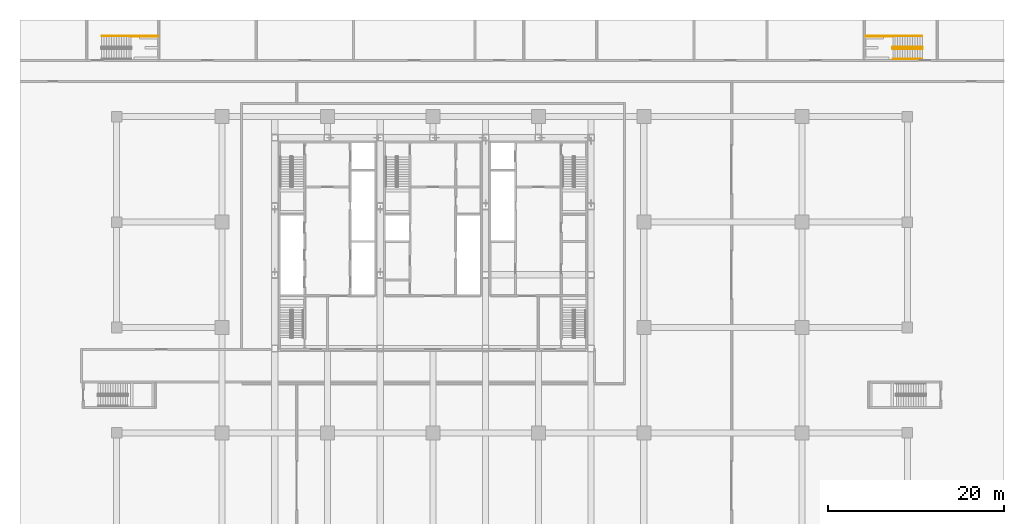
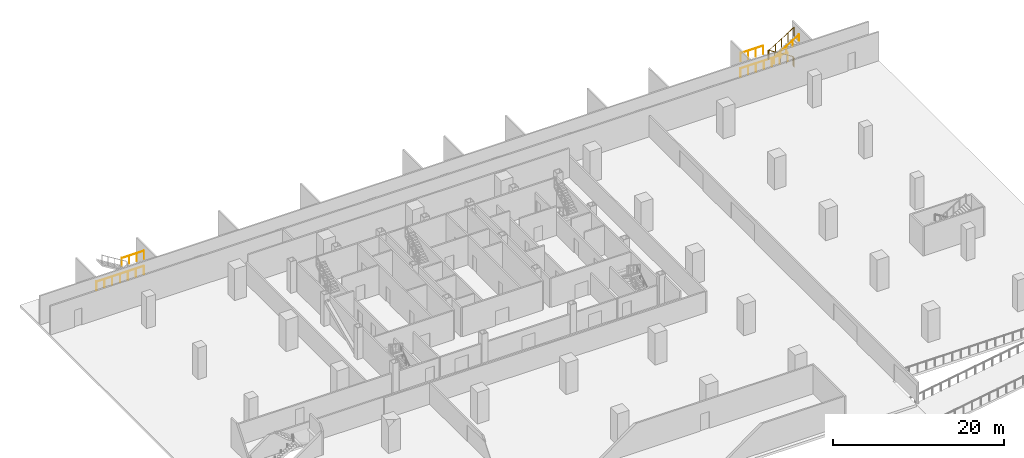
# One storey, part 15 of 15: 6 railings.
"""IFC4 building model written with IfcOpenShell, lengths in metres."""

import ifcopenshell
import ifcopenshell.guid

model = None  # the IFC model being written
_history = None  # IfcOwnerHistory: only IFC2X3 demands one
_inside = {}  # id of a spatial element -> (the spatial element, [elements in it])
_under = {}  # id of a project, library or spatial element -> (it, [spatial elements below it])
_declared = {}  # id of a project -> (the project, [libraries it declares])
_typed = {}  # id of a type object -> (the type object, [elements of that type])
_made_of = {}  # id of a material, layer set ... -> (it, [elements and type objects made of it])


def new_model(schema):
    """Start an empty IFC model of exactly this schema.

    Asked for "IFC4X3", IfcOpenShell would pick the latest addendum, in which some entities
    have other attributes; the version numbers below select the first issue.
    IFC2X3 requires an IfcOwnerHistory on every rooted entity: one is made here for all.
    """
    global model, _history
    if schema == "IFC4X3":
        model = ifcopenshell.file(schema_version=(4, 3, 0, 0))
    else:
        model = ifcopenshell.file(schema=schema)
    _inside.clear()
    _under.clear()
    _declared.clear()
    _typed.clear()
    _made_of.clear()
    _history = None
    if model.schema == "IFC2X3":
        org = make("IfcOrganization", Name="unknown")
        user = make(
            "IfcPersonAndOrganization",
            ThePerson=make("IfcPerson", FamilyName="unknown"),
            TheOrganization=org,
        )
        app = make(
            "IfcApplication",
            ApplicationDeveloper=org,
            Version="unknown",
            ApplicationFullName="unknown",
            ApplicationIdentifier="unknown",
        )
        _history = make(
            "IfcOwnerHistory",
            OwningUser=user,
            OwningApplication=app,
            ChangeAction="ADDED",
            CreationDate=0,
        )
    return model


def make(cls, **values):
    """One entity of the class cls with the attributes given. An attribute that is None is left unset."""
    return model.create_entity(
        cls, **{name: value for name, value in values.items() if value is not None}
    )


def rooted(cls, **values):
    """An entity with a GlobalId (a new one), such as an element, a storey or a relation."""
    return make(cls, GlobalId=ifcopenshell.guid.new(), OwnerHistory=_history, **values)


def si_unit(unit_type, name, prefix=None):
    """IfcSIUnit, for example si_unit("LENGTHUNIT", "METRE", prefix="MILLI")."""
    return make("IfcSIUnit", UnitType=unit_type, Prefix=prefix, Name=name)


def assignment(units):
    """IfcUnitAssignment: the units of a project."""
    return None if units is None else make("IfcUnitAssignment", Units=units)


def point(xyz):
    """IfcCartesianPoint."""
    return None if xyz is None else make("IfcCartesianPoint", Coordinates=xyz)


def direction(xyz):
    """IfcDirection."""
    return None if xyz is None else make("IfcDirection", DirectionRatios=xyz)


def frame(location, z_axis=None, x_axis=None):
    """IfcAxis2Placement3D, a coordinate frame: its origin and axes. An axis left out is left unset."""
    return make(
        "IfcAxis2Placement3D",
        Location=point(location),
        Axis=direction(z_axis),
        RefDirection=direction(x_axis),
    )


def frame_2d(location, x_axis=None):
    """IfcAxis2Placement2D, a coordinate frame in the plane: its origin and x axis."""
    return make(
        "IfcAxis2Placement2D", Location=point(location), RefDirection=direction(x_axis)
    )


def origin():
    """The frame at (0, 0, 0) with its axes left unset."""
    return frame((0.0, 0.0, 0.0))


def origin_2d():
    """The frame at (0, 0) in the plane with its x axis left unset."""
    return frame_2d((0.0, 0.0))


def place(relative_to, where):
    """IfcLocalPlacement: puts the frame where relative to a parent placement (None: the world)."""
    return make(
        "IfcLocalPlacement", PlacementRelTo=relative_to, RelativePlacement=where
    )


def context(
    kind, dimensions, precision=None, world=None, true_north=None, identifier=None
):
    """IfcGeometricRepresentationContext, for example the 3D "Model" context."""
    return make(
        "IfcGeometricRepresentationContext",
        ContextIdentifier=identifier,
        ContextType=kind,
        CoordinateSpaceDimension=dimensions,
        Precision=precision,
        WorldCoordinateSystem=world,
        TrueNorth=true_north,
    )


def subcontext(parent, identifier, kind, view, scale=None):
    """IfcGeometricRepresentationSubContext, for example "Body" below "Model"."""
    return make(
        "IfcGeometricRepresentationSubContext",
        ContextIdentifier=identifier,
        ContextType=kind,
        ParentContext=parent,
        TargetScale=scale,
        TargetView=view,
    )


def project(units=None, contexts=None):
    """IfcProject with its units and contexts."""
    return rooted(
        "IfcProject",
        Name="project",
        RepresentationContexts=contexts,
        UnitsInContext=assignment(units),
    )


def spatial(cls, under=None, at=None, **own):
    """A site, building, storey or space (cls), placed at a placement, below another one or the project."""
    s = rooted(cls, ObjectPlacement=at, **own)
    if under is not None:
        _under.setdefault(under.id(), (under, []))[1].append(s)
    return s


def profile(cls, at=None, kind="AREA", **sizes):
    """A parametric profile (cls). Its sizes go by their IFC names, for example OverallWidth=200.0."""
    return make(cls, ProfileType=kind, Position=at, **sizes)


def circle(**sizes):
    """IfcCircleProfileDef."""
    return profile("IfcCircleProfileDef", **sizes)


def extrude(swept, where, along, depth):
    """IfcExtrudedAreaSolid: the profile swept, set in the frame where, extruded along a direction by depth."""
    return make(
        "IfcExtrudedAreaSolid",
        SweptArea=swept,
        Position=where,
        ExtrudedDirection=direction(along),
        Depth=depth,
    )


def shape(context_of_items, identifier, shape_type, items):
    """IfcShapeRepresentation: the items that make up one representation, for example the "Body"."""
    return make(
        "IfcShapeRepresentation",
        ContextOfItems=context_of_items,
        RepresentationIdentifier=identifier,
        RepresentationType=shape_type,
        Items=items,
    )


def material(Name=None, Category=None):
    """IfcMaterial."""
    return make("IfcMaterial", Name=Name, Category=Category)


def made_of(thing, what):
    """Note that an element or type object is made of a material, layer set ...; save() writes the relation."""
    if what is not None:
        _made_of.setdefault(what.id(), (what, []))[1].append(thing)
    return thing


def type_object(cls, material=None, **own):
    """A type object (cls), such as IfcWallType, which elements share."""
    return made_of(rooted(cls, **own), material)


def element(
    cls,
    number,
    at=None,
    inside=None,
    cuts=None,
    type_object=None,
    material=None,
    context=None,
    identifier="Body",
    shape_type=None,
    held_by="IfcProductDefinitionShape",
    body=None,
    shapes=None,
    **own,
):
    """One element of the class cls, such as IfcWall. Its Tag is "e" and its number.

    at: its placement. inside: the storey or other place that contains it. cuts: it is an
    opening in that element (IfcRelVoidsElement). A single representation is given by context,
    identifier, shape_type and body (its items); several are given by shapes. held_by: the class
    of the entity that holds the representations. save() writes the other relations.
    """
    e = rooted(cls, Tag="e%d" % number, ObjectPlacement=at, **own)
    if body is not None:
        shapes = [shape(context, identifier, shape_type, body)]
    if shapes is not None:
        e.Representation = make(held_by, Representations=shapes)
    if inside is not None:
        _inside.setdefault(inside.id(), (inside, []))[1].append(e)
    if cuts is not None:
        rooted(
            "IfcRelVoidsElement", RelatingBuildingElement=cuts, RelatedOpeningElement=e
        )
    if type_object is not None:
        _typed.setdefault(type_object.id(), (type_object, []))[1].append(e)
    return made_of(e, material)


def aggregate(whole, parts):
    """IfcRelAggregates: a whole, such as a stair, and the parts it consists of."""
    return rooted("IfcRelAggregates", RelatingObject=whole, RelatedObjects=parts)


def save(model, path):
    """Write the relations noted so far, then the file.

    IfcRelAggregates (storeys below a building ...), IfcRelContainedInSpatialStructure (elements
    in a storey), IfcRelDefinesByType, IfcRelAssociatesMaterial and IfcRelDeclares: one each for
    every whole, place, type object, material and project.
    """
    for whole, parts in _under.values():
        aggregate(whole, parts)
    for where, things in _inside.values():
        rooted(
            "IfcRelContainedInSpatialStructure",
            RelatedElements=things,
            RelatingStructure=where,
        )
    for kind, things in _typed.values():
        rooted("IfcRelDefinesByType", RelatedObjects=things, RelatingType=kind)
    for what, things in _made_of.values():
        rooted("IfcRelAssociatesMaterial", RelatedObjects=things, RelatingMaterial=what)
    for by, libraries in _declared.values():
        rooted("IfcRelDeclares", RelatingContext=by, RelatedDefinitions=libraries)
    model.write(path)


model = new_model("IFC4")

# Units and contexts
model_context = context("Model", 3, precision=1e-05, world=origin(), true_north=direction((0.0, 1.0)))
body_context = subcontext(model_context, "Body", "Model", "MODEL_VIEW")
ifc_project = project(units=[si_unit("LENGTHUNIT", "METRE"), si_unit("AREAUNIT", "SQUARE_METRE"), si_unit("VOLUMEUNIT", "CUBIC_METRE"), si_unit("PLANEANGLEUNIT", "RADIAN"), si_unit("MASSUNIT", "GRAM", prefix="KILO")], contexts=[model_context])

# Site, building, storey
site_placement = place(None, origin())
site = spatial("IfcSite", under=ifc_project, at=site_placement, CompositionType="ELEMENT")
building_placement = place(site_placement, origin())
building = spatial("IfcBuilding", under=site, at=building_placement, Name="Sorahane Residences", CompositionType="ELEMENT")
storey_placement = place(building_placement, frame((0.0, 0.0, -9.0)))
storey = spatial("IfcBuildingStorey", under=building, at=storey_placement, Name="B2", CompositionType="ELEMENT", Elevation=-9.0)

# Railings
ifc_material_1 = material(Name="Steel Q355B", Category="steel")
railing_type_1 = type_object("IfcRailingType", Name="Stair guard 1200 Steel Q355B", PredefinedType="GUARDRAIL", material=ifc_material_1)
railing_1_placement = place(storey_placement, frame((-13.699951171875, 57.199951171875, 0.0)))
element("IfcRailing", 1, at=railing_1_placement, inside=storey, type_object=railing_type_1, Name="B2 Basement stair BS1 guard", PredefinedType="GUARDRAIL", context=body_context, shape_type="SweptSolid", body=[
    extrude(circle(Radius=0.02392578125, at=origin_2d()), frame((0.0, 0.0, 1.17578125), z_axis=(1.0, 0.0, 0.0), x_axis=(0.0, 1.0, 0.0)), (0.0, 0.0, 1.0), 6.39990234375),
    extrude(circle(Radius=0.02099609375, at=origin_2d()), origin(), (0.0, 0.0, 1.0), 1.15185546875),
    extrude(circle(Radius=0.02099609375, at=origin_2d()), frame((1.066650390625, 0.0, 0.0)), (0.0, 0.0, 1.0), 1.15185546875),
    extrude(circle(Radius=0.02099609375, at=origin_2d()), frame((2.13330078125, 0.0, 0.0)), (0.0, 0.0, 1.0), 1.15185546875),
    extrude(circle(Radius=0.02099609375, at=origin_2d()), frame((3.199951171875, 0.0, 0.0)), (0.0, 0.0, 1.0), 1.15185546875),
    extrude(circle(Radius=0.02099609375, at=origin_2d()), frame((4.2666015625, 0.0, 0.0)), (0.0, 0.0, 1.0), 1.15185546875),
    extrude(circle(Radius=0.02099609375, at=origin_2d()), frame((5.333251953125, 0.0, 0.0)), (0.0, 0.0, 1.0), 1.15185546875),
    extrude(circle(Radius=0.02099609375, at=origin_2d()), frame((6.39990234375, 0.0, 0.0)), (0.0, 0.0, 1.0), 1.15185546875),
])
railing_2_placement = place(storey_placement, frame((-10.340087890625, 57.10009765625, 2.25)))
element("IfcRailing", 2, at=railing_2_placement, inside=storey, type_object=railing_type_1, Name="B2 Basement stair BS1 guard", PredefinedType="GUARDRAIL", context=body_context, shape_type="SweptSolid", body=[
    extrude(circle(Radius=0.02392578125, at=origin_2d()), frame((0.0, 0.0, 1.17578125), z_axis=(1.0, 0.0, 0.0), x_axis=(0.0, 1.0, 0.0)), (0.0, 0.0, 1.0), 3.0400390625),
    extrude(circle(Radius=0.02099609375, at=origin_2d()), origin(), (0.0, 0.0, 1.0), 1.15185546875),
    extrude(circle(Radius=0.02099609375, at=origin_2d()), frame((1.013427734375, 0.0, 0.0)), (0.0, 0.0, 1.0), 1.15185546875),
    extrude(circle(Radius=0.02099609375, at=origin_2d()), frame((2.026611328125, 0.0, 0.0)), (0.0, 0.0, 1.0), 1.15185546875),
    extrude(circle(Radius=0.02099609375, at=origin_2d()), frame((3.0400390625, 0.0, 0.0)), (0.0, 0.0, 1.0), 1.15185546875),
])
railing_3_placement = place(storey_placement, frame((79.75, 55.75, 0.0)))
element("IfcRailing", 3, at=railing_3_placement, inside=storey, type_object=railing_type_1, Name="B2 BS2 stair guard 1", PredefinedType="GUARDRAIL", context=body_context, shape_type="SweptSolid", body=[
    extrude(circle(Radius=0.02392578125, at=origin_2d()), frame((0.0, 0.0, 1.23583984375), z_axis=(0.0, 1.0, 0.0), x_axis=(-1.0, 0.0, 0.0)), (0.0, 0.0, 1.0), 0.14990234375),
    extrude(circle(Radius=0.02392578125, at=origin_2d()), frame((0.0, 0.14990234375, 1.23583984375), z_axis=(-0.267629722418, 0.267629722418, 0.925607186314), x_axis=(-0.707106781187, -0.707106781187, 0.0)), (0.0, 0.0, 1.0), 0.18701171875),
    extrude(circle(Radius=0.02392578125, at=origin_2d()), frame((-0.050048828125, 0.199951171875, 1.4091796875), z_axis=(-0.850606129759, 0.0, 0.525803396734), x_axis=(0.0, -1.0, 0.0)), (0.0, 0.0, 1.0), 3.949951171875),
    extrude(circle(Radius=0.02392578125, at=origin_2d()), frame((-3.409912109375, 0.199951171875, 3.48583984375), z_axis=(-0.707106781187, -0.707106781187, 0.0), x_axis=(0.707106781187, -0.707106781187, 0.0)), (0.0, 0.0, 1.0), 0.07080078125),
    extrude(circle(Radius=0.02392578125, at=origin_2d()), frame((-3.4599609375, 0.14990234375, 3.48583984375), z_axis=(0.0, -1.0, 0.0), x_axis=(1.0, 0.0, 0.0)), (0.0, 0.0, 1.0), 0.14990234375),
    extrude(circle(Radius=0.02392578125, at=origin_2d()), frame((-3.4599609375, 0.0, 3.48583984375), z_axis=(0.267629722418, -0.267629722418, 0.925607186314), x_axis=(0.707106781187, 0.707106781187, 0.0)), (0.0, 0.0, 1.0), 0.18701171875),
    extrude(circle(Radius=0.02392578125, at=origin_2d()), frame((-3.409912109375, -0.050048828125, 3.6591796875), z_axis=(0.850606129759, 0.0, 0.525803396734), x_axis=(0.0, 1.0, 0.0)), (0.0, 0.0, 1.0), 3.949951171875),
    extrude(circle(Radius=0.02099609375, at=origin_2d()), origin(), (0.0, 0.0, 1.0), 1.2119140625),
    extrude(circle(Radius=0.02099609375, at=origin_2d()), frame((0.0, 0.14990234375, 0.0)), (0.0, 0.0, 1.0), 1.2119140625),
    extrude(circle(Radius=0.02099609375, at=origin_2d()), frame((-0.050048828125, 0.199951171875, 0.173095703125)), (0.0, 0.0, 1.0), 1.2119140625),
    extrude(circle(Radius=0.02099609375, at=origin_2d()), frame((-0.89013671875, 0.199951171875, 0.6923828125)), (0.0, 0.0, 1.0), 1.2119140625),
    extrude(circle(Radius=0.02099609375, at=origin_2d()), frame((-1.72998046875, 0.199951171875, 1.21142578125)), (0.0, 0.0, 1.0), 1.2119140625),
    extrude(circle(Radius=0.02099609375, at=origin_2d()), frame((-2.56982421875, 0.199951171875, 1.730712890625)), (0.0, 0.0, 1.0), 1.2119140625),
    extrude(circle(Radius=0.02099609375, at=origin_2d()), frame((-3.409912109375, 0.199951171875, 2.25)), (0.0, 0.0, 1.0), 1.2119140625),
    extrude(circle(Radius=0.02099609375, at=origin_2d()), frame((-3.4599609375, 0.14990234375, 2.25)), (0.0, 0.0, 1.0), 1.2119140625),
    extrude(circle(Radius=0.02099609375, at=origin_2d()), frame((-3.4599609375, 0.0, 2.25)), (0.0, 0.0, 1.0), 1.2119140625),
    extrude(circle(Radius=0.02099609375, at=origin_2d()), frame((-3.409912109375, -0.050048828125, 2.423095703125)), (0.0, 0.0, 1.0), 1.2119140625),
    extrude(circle(Radius=0.02099609375, at=origin_2d()), frame((-2.56982421875, -0.050048828125, 2.9423828125)), (0.0, 0.0, 1.0), 1.2119140625),
    extrude(circle(Radius=0.02099609375, at=origin_2d()), frame((-1.72998046875, -0.050048828125, 3.46142578125)), (0.0, 0.0, 1.0), 1.2119140625),
    extrude(circle(Radius=0.02099609375, at=origin_2d()), frame((-0.89013671875, -0.050048828125, 3.980712890625)), (0.0, 0.0, 1.0), 1.2119140625),
    extrude(circle(Radius=0.02099609375, at=origin_2d()), frame((-0.050048828125, -0.050048828125, 4.5)), (0.0, 0.0, 1.0), 1.2119140625),
])
railing_4_placement = place(storey_placement, frame((73.300048828125, 57.10009765625, 2.25)))
element("IfcRailing", 4, at=railing_4_placement, inside=storey, type_object=railing_type_1, Name="B2 Basement stair BS2 guard", PredefinedType="GUARDRAIL", context=body_context, shape_type="SweptSolid", body=[
    extrude(circle(Radius=0.02392578125, at=origin_2d()), frame((0.0, 0.0, 1.17578125), z_axis=(1.0, 0.0, 0.0), x_axis=(0.0, 1.0, 0.0)), (0.0, 0.0, 1.0), 3.0400390625),
    extrude(circle(Radius=0.02099609375, at=origin_2d()), origin(), (0.0, 0.0, 1.0), 1.15185546875),
    extrude(circle(Radius=0.02099609375, at=origin_2d()), frame((1.013427734375, 0.0, 0.0)), (0.0, 0.0, 1.0), 1.15185546875),
    extrude(circle(Radius=0.02099609375, at=origin_2d()), frame((2.026611328125, 0.0, 0.0)), (0.0, 0.0, 1.0), 1.15185546875),
    extrude(circle(Radius=0.02099609375, at=origin_2d()), frame((3.0400390625, 0.0, 0.0)), (0.0, 0.0, 1.0), 1.15185546875),
])
railing_5_placement = place(storey_placement, frame((73.300048828125, 57.199951171875, 0.0)))
element("IfcRailing", 5, at=railing_5_placement, inside=storey, type_object=railing_type_1, Name="B2 Basement stair BS2 guard", PredefinedType="GUARDRAIL", context=body_context, shape_type="SweptSolid", body=[
    extrude(circle(Radius=0.02392578125, at=origin_2d()), frame((0.0, 0.0, 1.17578125), z_axis=(1.0, 0.0, 0.0), x_axis=(0.0, 1.0, 0.0)), (0.0, 0.0, 1.0), 6.39990234375),
    extrude(circle(Radius=0.02099609375, at=origin_2d()), origin(), (0.0, 0.0, 1.0), 1.15185546875),
    extrude(circle(Radius=0.02099609375, at=origin_2d()), frame((1.066650390625, 0.0, 0.0)), (0.0, 0.0, 1.0), 1.15185546875),
    extrude(circle(Radius=0.02099609375, at=origin_2d()), frame((2.13330078125, 0.0, 0.0)), (0.0, 0.0, 1.0), 1.15185546875),
    extrude(circle(Radius=0.02099609375, at=origin_2d()), frame((3.199951171875, 0.0, 0.0)), (0.0, 0.0, 1.0), 1.15185546875),
    extrude(circle(Radius=0.02099609375, at=origin_2d()), frame((4.2666015625, 0.0, 0.0)), (0.0, 0.0, 1.0), 1.15185546875),
    extrude(circle(Radius=0.02099609375, at=origin_2d()), frame((5.333251953125, 0.0, 0.0)), (0.0, 0.0, 1.0), 1.15185546875),
    extrude(circle(Radius=0.02099609375, at=origin_2d()), frame((6.39990234375, 0.0, 0.0)), (0.0, 0.0, 1.0), 1.15185546875),
])
ifc_material_2 = material(Name="Steel Q355B", Category="steel")
railing_type_2 = type_object("IfcRailingType", Name="Stair handrail 900 Steel Q355B", PredefinedType="HANDRAIL", material=ifc_material_2)
railing_6_placement = place(storey_placement, frame((76.340087890625, 54.550048828125, 2.423095703125)))
element("IfcRailing", 6, at=railing_6_placement, inside=storey, type_object=railing_type_2, Name="B2 BS2 stair handrail 1", PredefinedType="HANDRAIL", context=body_context, shape_type="SweptSolid", body=[
    extrude(circle(Radius=0.02392578125, at=origin_2d()), frame((0.0, 0.0, 0.8759765625), z_axis=(0.850606129759, 0.0, 0.525803396734), x_axis=(0.0, 1.0, 0.0)), (0.0, 0.0, 1.0), 3.949951171875),
    extrude(circle(Radius=0.02099609375, at=origin_2d()), origin(), (0.0, 0.0, 1.0), 0.851806640625),
    extrude(circle(Radius=0.02099609375, at=origin_2d()), frame((0.83984375, 0.0, 0.519287109375)), (0.0, 0.0, 1.0), 0.851806640625),
    extrude(circle(Radius=0.02099609375, at=origin_2d()), frame((1.679931640625, 0.0, 1.03857421875)), (0.0, 0.0, 1.0), 0.851806640625),
    extrude(circle(Radius=0.02099609375, at=origin_2d()), frame((2.52001953125, 0.0, 1.5576171875)), (0.0, 0.0, 1.0), 0.851806640625),
    extrude(circle(Radius=0.02099609375, at=origin_2d()), frame((3.35986328125, 0.0, 2.076904296875)), (0.0, 0.0, 1.0), 0.851806640625),
])

save(model, "model.ifc")
